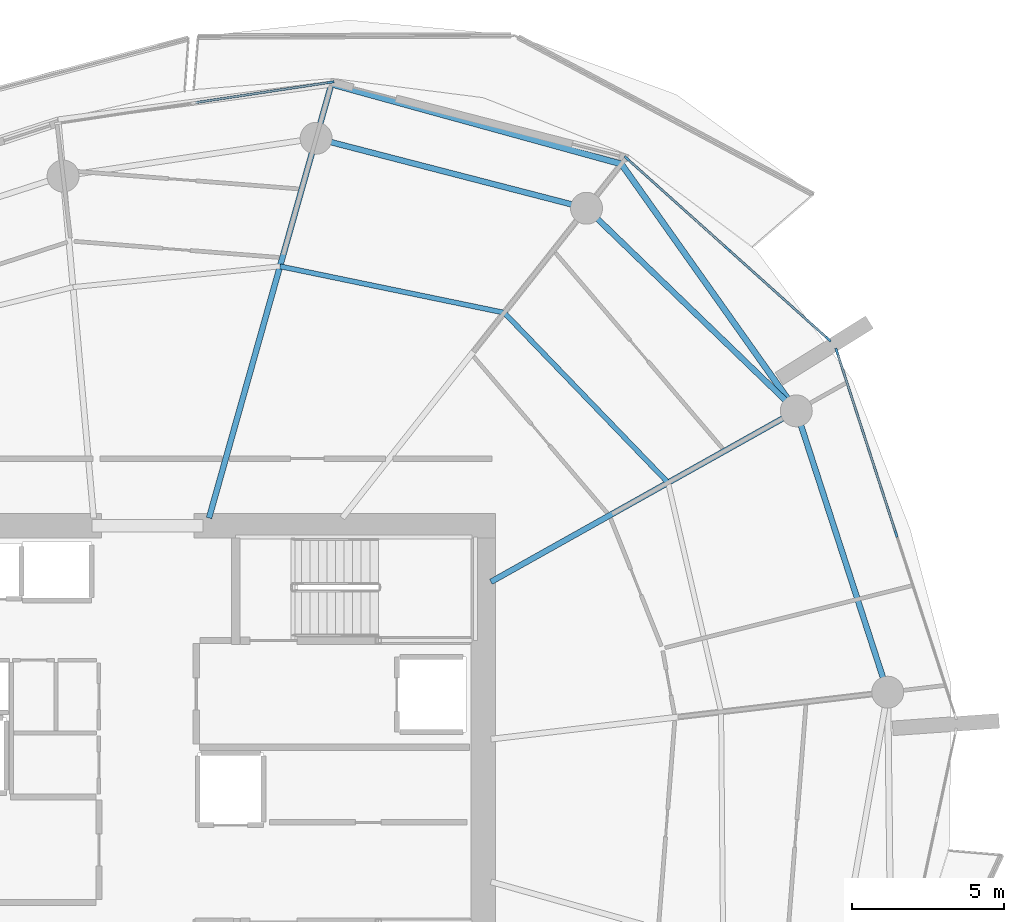
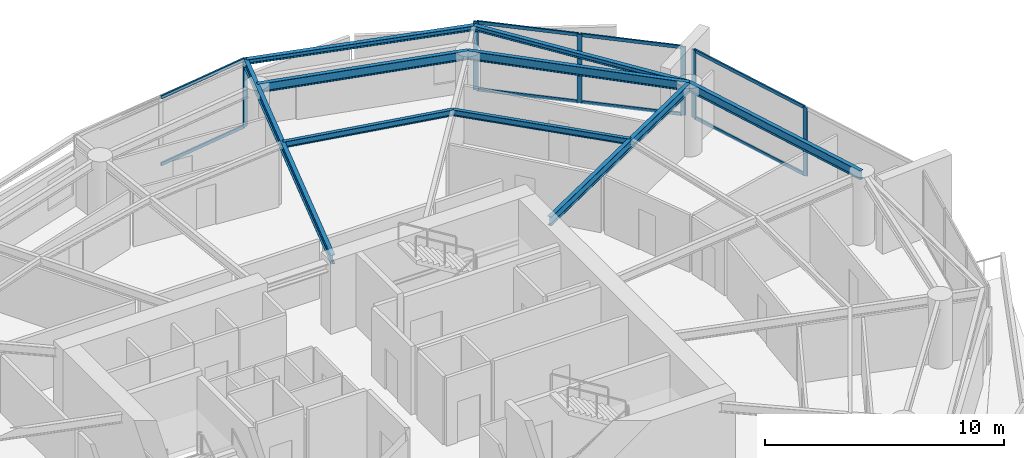
# One storey, part 9 of 20: 14 members, 9 beams, 3 elements without a shape of their own.
"""IFC4 building model written with IfcOpenShell, lengths in metres."""

from ifc_helpers import new_model, si_unit, direction, frame, origin, origin_2d, place, context, subcontext, project, spatial, rectangle, i_section, extrude, material, layer, layer_set, material_profile, profile_set, type_object, element, aggregate, save


model = new_model("IFC4")

# Units and contexts
model_context = context("Model", 3, precision=1e-05, world=origin(), true_north=direction((0.0, 1.0)))
body_context = subcontext(model_context, "Body", "Model", "MODEL_VIEW")
ifc_project = project(units=[si_unit("LENGTHUNIT", "METRE"), si_unit("AREAUNIT", "SQUARE_METRE"), si_unit("VOLUMEUNIT", "CUBIC_METRE"), si_unit("PLANEANGLEUNIT", "RADIAN"), si_unit("MASSUNIT", "GRAM", prefix="KILO")], contexts=[model_context])

# Site, building, storey
site_placement = place(None, origin())
site = spatial("IfcSite", under=ifc_project, at=site_placement, CompositionType="ELEMENT")
building_placement = place(site_placement, origin())
building = spatial("IfcBuilding", under=site, at=building_placement, Name="Kazma Halo Residences", CompositionType="ELEMENT")
storey_placement = place(building_placement, frame((0.0, 0.0, 169.050048828125)))
storey = spatial("IfcBuildingStorey", under=building, at=storey_placement, Name="L42", CompositionType="ELEMENT", Elevation=169.050048828125)

# Beams
ifc_material_1 = material(Name="Steel S355", Category="steel")
ifc_material_profile_1 = material_profile(ifc_material_1, i_section(OverallWidth=0.201904296875, OverallDepth=0.2470703125, WebThickness=0.00732421875, FlangeThickness=0.010986328125, FilletRadius=0.011962890625, at=origin_2d()), Name="W250x49.1")
ifc_profile_set_1 = profile_set([ifc_material_profile_1], Name="Steel S355")
beam_type_1 = type_object("IfcBeamType", Name="BM-BAL-CANT", PredefinedType="BEAM", material=ifc_profile_set_1)
beam_1_placement = place(storey_placement, frame((69.730224609375, 54.16943359375, 3.37646484375), z_axis=(-0.578203432081, 0.81589263456, 0.0), x_axis=(-0.81589263456, -0.578203432081, 0.0)))
element("IfcBeam", 1, at=beam_1_placement, inside=storey, type_object=beam_type_1, Name="L42 wave-balcony lead tie beam 01", PredefinedType="BEAM", context=body_context, shape_type="SweptSolid", body=[
    extrude(i_section(OverallWidth=0.201904296875, OverallDepth=0.2470703125, WebThickness=0.00732421875, FlangeThickness=0.010986328125, FilletRadius=0.011962890625, at=origin_2d()), origin(), (0.0, 0.0, 1.0), 9.9365234375),
])
beam_2_placement = place(storey_placement, frame((63.98486328125, 62.276611328125, 3.37646484375), z_axis=(-0.964045237638, 0.265738179019, 0.0), x_axis=(-0.265738179019, -0.964045237638, 0.0)))
element("IfcBeam", 2, at=beam_2_placement, inside=storey, type_object=beam_type_1, Name="L42 wave-balcony tie beam 02", PredefinedType="BEAM", context=body_context, shape_type="SweptSolid", body=[
    extrude(i_section(OverallWidth=0.201904296875, OverallDepth=0.2470703125, WebThickness=0.00732421875, FlangeThickness=0.010986328125, FilletRadius=0.011962890625, at=origin_2d()), origin(), (0.0, 0.0, 1.0), 9.880859375),
])
ifc_material_profile_2 = material_profile(ifc_material_1, i_section(OverallWidth=0.18994140625, OverallDepth=0.45703125, WebThickness=0.009033203125, FlangeThickness=0.014404296875, FilletRadius=0.01611328125, at=origin_2d()), Name="W460x74")
ifc_profile_set_2 = profile_set([ifc_material_profile_2], Name="Steel S355")
beam_type_2 = type_object("IfcBeamType", Name="BM-RAD-W460", PredefinedType="BEAM", material=ifc_profile_set_2)
beam_3_placement = place(storey_placement, frame((59.699951171875, 48.55224609375, 3.271484375), z_axis=(0.872497324456, 0.488618889132, 0.0), x_axis=(-0.488618889132, 0.872497324456, 0.0)))
element("IfcBeam", 3, at=beam_3_placement, inside=storey, type_object=beam_type_2, Name="L42 radial floor beam 01", PredefinedType="BEAM", context=body_context, shape_type="SweptSolid", body=[
    extrude(i_section(OverallWidth=0.18994140625, OverallDepth=0.45703125, WebThickness=0.009033203125, FlangeThickness=0.014404296875, FilletRadius=0.01611328125, at=origin_2d()), origin(), (0.0, 0.0, 1.0), 11.49609375),
])
beam_4_placement = place(storey_placement, frame((50.439697265625, 50.64990234375, 3.271484375), z_axis=(0.271435886816, 0.962456523355, 0.0), x_axis=(-0.962456523355, 0.271435886816, 0.0)))
element("IfcBeam", 4, at=beam_4_placement, inside=storey, type_object=beam_type_2, Name="L42 radial floor beam 03", PredefinedType="BEAM", context=body_context, shape_type="SweptSolid", body=[
    extrude(i_section(OverallWidth=0.18994140625, OverallDepth=0.45703125, WebThickness=0.009033203125, FlangeThickness=0.014404296875, FilletRadius=0.01611328125, at=origin_2d()), origin(), (0.0, 0.0, 1.0), 14.808349609375),
])
ifc_material_profile_3 = material_profile(ifc_material_1, i_section(OverallWidth=0.1650390625, OverallDepth=0.31005859375, WebThickness=0.005859375, FlangeThickness=0.009765625, FilletRadius=0.011962890625, at=origin_2d()), Name="W310x38.7")
ifc_profile_set_3 = profile_set([ifc_material_profile_3], Name="Steel S355")
beam_type_3 = type_object("IfcBeamType", Name="BM-SEC-W310B", PredefinedType="JOIST", material=ifc_profile_set_3)
beam_5_placement = place(storey_placement, frame((65.517578125, 51.810302734375, 3.344970703125), z_axis=(-0.694049338985, 0.719927437354, 0.0), x_axis=(-0.719927437354, -0.694049338985, 0.0)))
element("IfcBeam", 5, at=beam_5_placement, inside=storey, type_object=beam_type_3, Name="L42 circumferential floor joist 01", PredefinedType="JOIST", context=body_context, shape_type="SweptSolid", body=[
    extrude(i_section(OverallWidth=0.1650390625, OverallDepth=0.31005859375, WebThickness=0.005859375, FlangeThickness=0.009765625, FilletRadius=0.011962890625, at=origin_2d()), origin(), (0.0, 0.0, 1.0), 7.7548828125),
])
beam_6_placement = place(storey_placement, frame((60.13525390625, 57.393310546875, 3.344970703125), z_axis=(-0.979272189631, 0.202548706773, 0.0), x_axis=(-0.202548706773, -0.979272189631, 0.0)))
element("IfcBeam", 6, at=beam_6_placement, inside=storey, type_object=beam_type_3, Name="L42 circumferential floor joist 02", PredefinedType="JOIST", context=body_context, shape_type="SweptSolid", body=[
    extrude(i_section(OverallWidth=0.1650390625, OverallDepth=0.31005859375, WebThickness=0.005859375, FlangeThickness=0.009765625, FilletRadius=0.011962890625, at=origin_2d()), origin(), (0.0, 0.0, 1.0), 7.52001953125),
])
ifc_material_profile_4 = material_profile(ifc_material_1, i_section(OverallWidth=0.18994140625, OverallDepth=0.45703125, WebThickness=0.009033203125, FlangeThickness=0.014404296875, FilletRadius=0.01611328125, at=origin_2d()), Name="W460x74")
ifc_profile_set_4 = profile_set([ifc_material_profile_4], Name="Steel S355")
beam_type_4 = type_object("IfcBeamType", Name="BM-SPN-W460", PredefinedType="BEAM", material=ifc_profile_set_4)
beam_7_placement = place(storey_placement, frame((69.730224609375, 54.16943359375, 3.271484375), z_axis=(-0.719334705845, 0.694663645923, 0.0), x_axis=(-0.694663645923, -0.719334705845, 0.0)))
element("IfcBeam", 7, at=beam_7_placement, inside=storey, type_object=beam_type_4, Name="L42 perimeter ring beam 01", PredefinedType="BEAM", context=body_context, shape_type="SweptSolid", body=[
    extrude(i_section(OverallWidth=0.18994140625, OverallDepth=0.45703125, WebThickness=0.009033203125, FlangeThickness=0.014404296875, FilletRadius=0.01611328125, at=origin_2d()), origin(), (0.0, 0.0, 1.0), 9.5791015625),
])
beam_8_placement = place(storey_placement, frame((62.839599609375, 60.82373046875, 3.271484375), z_axis=(-0.968123664213, 0.250472694699, 0.0), x_axis=(-0.250472694699, -0.968123664213, 0.0)))
element("IfcBeam", 8, at=beam_8_placement, inside=storey, type_object=beam_type_4, Name="L42 perimeter ring beam 02", PredefinedType="BEAM", context=body_context, shape_type="SweptSolid", body=[
    extrude(i_section(OverallWidth=0.18994140625, OverallDepth=0.45703125, WebThickness=0.009033203125, FlangeThickness=0.014404296875, FilletRadius=0.01611328125, at=origin_2d()), origin(), (0.0, 0.0, 1.0), 9.175048828125),
])
beam_9_placement = place(storey_placement, frame((72.733154296875, 44.927490234375, 3.271484375), z_axis=(-0.309020741629, 0.95105529873, 0.0), x_axis=(-0.95105529873, -0.309020741629, 0.0)))
element("IfcBeam", 9, at=beam_9_placement, inside=storey, type_object=beam_type_4, Name="L42 perimeter ring beam 16", PredefinedType="BEAM", context=body_context, shape_type="SweptSolid", body=[
    extrude(i_section(OverallWidth=0.18994140625, OverallDepth=0.45703125, WebThickness=0.009033203125, FlangeThickness=0.014404296875, FilletRadius=0.01611328125, at=origin_2d()), origin(), (0.0, 0.0, 1.0), 9.717529296875),
])

# Curtain wall, members
ifc_material_2 = material(Name="Aluminium AW-6063 T6 and Triple-Silver Low-E Glass", Category="aluminium")
ifc_layer = layer(ifc_material_2, 0.219970703125)
ifc_layer_set = layer_set([ifc_layer], Name="Aluminium AW-6063 T6 and Triple-Silver Low-E Glass")
curtain_wall_type = type_object("IfcCurtainWallType", Name="CW-SYS-4", PredefinedType="NOTDEFINED", material=ifc_layer_set)
curtain_wall_1_placement = place(storey_placement, origin())
curtain_wall_1 = element("IfcCurtainWall", 10, at=curtain_wall_1_placement, inside=storey, type_object=curtain_wall_type, Name="L42 unitised curtain wall B01", PredefinedType="NOTDEFINED")
ifc_material_3 = material(Name="Aluminium AW-6063 T6", Category="aluminium")
ifc_material_profile_5 = material_profile(ifc_material_3, rectangle(XDim=0.074951171875, YDim=0.219970703125, at=origin_2d()), Name="CWM-75x220")
ifc_profile_set_5 = profile_set([ifc_material_profile_5], Name="Aluminium AW-6063 T6")
member_type_1 = type_object("IfcMemberType", Name="CW-SYS-4-MUL", PredefinedType="MULLION", material=ifc_profile_set_5)
member_1_placement = place(storey_placement, frame((70.778564453125, 56.5263671875, 0.0), z_axis=(0.0, 0.0, 1.0), x_axis=(-0.667770096247, -0.744367582957, 0.0)))
member_1 = element("IfcMember", 11, at=member_1_placement, type_object=member_type_1, Name="CWS-4 mullion 1", PredefinedType="MULLION", context=body_context, shape_type="SweptSolid", body=[
    extrude(rectangle(XDim=0.074951171875, YDim=0.219970703125, at=origin_2d()), origin(), (0.0, 0.0, 1.0), 3.5),
])
member_2_placement = place(storey_placement, frame((67.47509765625, 59.48974609375, 0.0), z_axis=(0.0, 0.0, 1.0), x_axis=(-0.667770096247, -0.744367582957, 0.0)))
member_2 = element("IfcMember", 12, at=member_2_placement, type_object=member_type_1, Name="CWS-4 mullion 2", PredefinedType="MULLION", context=body_context, shape_type="SweptSolid", body=[
    extrude(rectangle(XDim=0.074951171875, YDim=0.219970703125, at=origin_2d()), origin(), (0.0, 0.0, 1.0), 3.5),
])
member_3_placement = place(storey_placement, frame((64.171630859375, 62.453369140625, 0.0), z_axis=(0.0, 0.0, 1.0), x_axis=(-0.667770096247, -0.744367582957, 0.0)))
member_3 = element("IfcMember", 13, at=member_3_placement, type_object=member_type_1, Name="CWS-4 mullion 3", PredefinedType="MULLION", context=body_context, shape_type="SweptSolid", body=[
    extrude(rectangle(XDim=0.074951171875, YDim=0.219970703125, at=origin_2d()), origin(), (0.0, 0.0, 1.0), 3.5),
])

# Curtain wall, member
curtain_wall_2_placement = place(storey_placement, origin())
curtain_wall_2 = element("IfcCurtainWall", 14, at=curtain_wall_2_placement, inside=storey, type_object=curtain_wall_type, Name="L42 unitised curtain wall B03", PredefinedType="NOTDEFINED")
member_4_placement = place(storey_placement, frame((54.440673828125, 64.962890625, 0.0), z_axis=(0.0, 0.0, 1.0), x_axis=(0.148821022686, -0.988864148004, 0.0)))
member_4 = element("IfcMember", 15, at=member_4_placement, type_object=member_type_1, Name="CWS-4 mullion 1", PredefinedType="MULLION", context=body_context, shape_type="SweptSolid", body=[
    extrude(rectangle(XDim=0.074951171875, YDim=0.219970703125, at=origin_2d()), origin(), (0.0, 0.0, 1.0), 3.5),
])

# Curtain wall, members
curtain_wall_3_placement = place(storey_placement, origin())
curtain_wall_3 = element("IfcCurtainWall", 16, at=curtain_wall_3_placement, inside=storey, type_object=curtain_wall_type, Name="L42 unitised curtain wall B16", PredefinedType="NOTDEFINED")
member_5_placement = place(storey_placement, frame((73.009033203125, 50.1259765625, 0.0), z_axis=(0.0, 0.0, 1.0), x_axis=(-0.951057547609, -0.3090138203, 0.0)))
member_5 = element("IfcMember", 17, at=member_5_placement, type_object=member_type_1, Name="CWS-4 mullion 2", PredefinedType="MULLION", context=body_context, shape_type="SweptSolid", body=[
    extrude(rectangle(XDim=0.074951171875, YDim=0.219970703125, at=origin_2d()), origin(), (0.0, 0.0, 1.0), 3.5),
])
member_6_placement = place(storey_placement, frame((71.062255859375, 56.117431640625, 0.0), z_axis=(0.0, 0.0, 1.0), x_axis=(-0.951057547609, -0.3090138203, 0.0)))
member_6 = element("IfcMember", 18, at=member_6_placement, type_object=member_type_1, Name="CWS-4 mullion 3", PredefinedType="MULLION", context=body_context, shape_type="SweptSolid", body=[
    extrude(rectangle(XDim=0.074951171875, YDim=0.219970703125, at=origin_2d()), origin(), (0.0, 0.0, 1.0), 3.5),
])

# Member
ifc_material_profile_6 = material_profile(ifc_material_3, rectangle(XDim=0.074951171875, YDim=0.1650390625, at=origin_2d()), Name="CWT-75x165")
ifc_profile_set_6 = profile_set([ifc_material_profile_6], Name="Aluminium AW-6063 T6")
member_type_2 = type_object("IfcMemberType", Name="CW-SYS-4-TRN", PredefinedType="USERDEFINED", material=ifc_profile_set_6)
member_7_placement = place(storey_placement, frame((70.75048828125, 56.55126953125, 0.037353515625), z_axis=(-0.744344978888, 0.66779529229, 0.0), x_axis=(-0.66779529229, -0.744344978888, 0.0)))
member_7 = element("IfcMember", 19, at=member_7_placement, type_object=member_type_2, Name="CWS-4 transom 1.1", ObjectType="TRANSOM", PredefinedType="USERDEFINED", context=body_context, shape_type="SweptSolid", body=[
    extrude(rectangle(XDim=0.074951171875, YDim=0.1650390625, at=origin_2d()), origin(), (0.0, 0.0, 1.0), 4.363037109375),
])

member_8_placement = place(storey_placement, frame((70.75048828125, 56.55126953125, 3.46240234375), z_axis=(-0.744344978888, 0.66779529229, 0.0), x_axis=(-0.66779529229, -0.744344978888, 0.0)))
member_8 = element("IfcMember", 20, at=member_8_placement, type_object=member_type_2, Name="CWS-4 transom 1.2", ObjectType="TRANSOM", PredefinedType="USERDEFINED", context=body_context, shape_type="SweptSolid", body=[
    extrude(rectangle(XDim=0.074951171875, YDim=0.1650390625, at=origin_2d()), origin(), (0.0, 0.0, 1.0), 4.363037109375),
])

member_9_placement = place(storey_placement, frame((67.447265625, 59.514892578125, 0.037353515625), z_axis=(-0.744372794017, 0.667764287401, 0.0), x_axis=(-0.667764287401, -0.744372794017, 0.0)))
member_9 = element("IfcMember", 21, at=member_9_placement, type_object=member_type_2, Name="CWS-4 transom 2.1", ObjectType="TRANSOM", PredefinedType="USERDEFINED", context=body_context, shape_type="SweptSolid", body=[
    extrude(rectangle(XDim=0.074951171875, YDim=0.1650390625, at=origin_2d()), origin(), (0.0, 0.0, 1.0), 4.36279296875),
])

member_10_placement = place(storey_placement, frame((67.447265625, 59.514892578125, 3.46240234375), z_axis=(-0.744372794017, 0.667764287401, 0.0), x_axis=(-0.667764287401, -0.744372794017, 0.0)))
member_10 = element("IfcMember", 22, at=member_10_placement, type_object=member_type_2, Name="CWS-4 transom 2.2", ObjectType="TRANSOM", PredefinedType="USERDEFINED", context=body_context, shape_type="SweptSolid", body=[
    extrude(rectangle(XDim=0.074951171875, YDim=0.1650390625, at=origin_2d()), origin(), (0.0, 0.0, 1.0), 4.36279296875),
])

aggregate(curtain_wall_1, [member_1, member_2, member_3, member_7, member_8, member_9, member_10])

member_11_placement = place(storey_placement, frame((54.403564453125, 64.957275390625, 0.037353515625), z_axis=(-0.988866721231, -0.148803923478, 0.0), x_axis=(0.148803923478, -0.988866721231, 0.0)))
member_11 = element("IfcMember", 23, at=member_11_placement, type_object=member_type_2, Name="CWS-4 transom 1.1", ObjectType="TRANSOM", PredefinedType="USERDEFINED", context=body_context, shape_type="SweptSolid", body=[
    extrude(rectangle(XDim=0.074951171875, YDim=0.1650390625, at=origin_2d()), origin(), (0.0, 0.0, 1.0), 4.4560546875),
])

member_12_placement = place(storey_placement, frame((54.403564453125, 64.957275390625, 3.46240234375), z_axis=(-0.988866721231, -0.148803923478, 0.0), x_axis=(0.148803923478, -0.988866721231, 0.0)))
member_12 = element("IfcMember", 24, at=member_12_placement, type_object=member_type_2, Name="CWS-4 transom 1.2", ObjectType="TRANSOM", PredefinedType="USERDEFINED", context=body_context, shape_type="SweptSolid", body=[
    extrude(rectangle(XDim=0.074951171875, YDim=0.1650390625, at=origin_2d()), origin(), (0.0, 0.0, 1.0), 4.4560546875),
])

aggregate(curtain_wall_2, [member_4, member_11, member_12])

member_13_placement = place(storey_placement, frame((72.99755859375, 50.16162109375, 0.037353515625), z_axis=(-0.309017784977, 0.951056259413, 0.0), x_axis=(-0.951056259413, -0.309017784977, 0.0)))
member_13 = element("IfcMember", 25, at=member_13_placement, type_object=member_type_2, Name="CWS-4 transom 2.1", ObjectType="TRANSOM", PredefinedType="USERDEFINED", context=body_context, shape_type="SweptSolid", body=[
    extrude(rectangle(XDim=0.074951171875, YDim=0.1650390625, at=origin_2d()), origin(), (0.0, 0.0, 1.0), 6.224853515625),
])

member_14_placement = place(storey_placement, frame((72.99755859375, 50.16162109375, 3.46240234375), z_axis=(-0.309017784977, 0.951056259413, 0.0), x_axis=(-0.951056259413, -0.309017784977, 0.0)))
member_14 = element("IfcMember", 26, at=member_14_placement, type_object=member_type_2, Name="CWS-4 transom 2.2", ObjectType="TRANSOM", PredefinedType="USERDEFINED", context=body_context, shape_type="SweptSolid", body=[
    extrude(rectangle(XDim=0.074951171875, YDim=0.1650390625, at=origin_2d()), origin(), (0.0, 0.0, 1.0), 6.224853515625),
])

aggregate(curtain_wall_3, [member_5, member_6, member_13, member_14])

save(model, "model.ifc")
